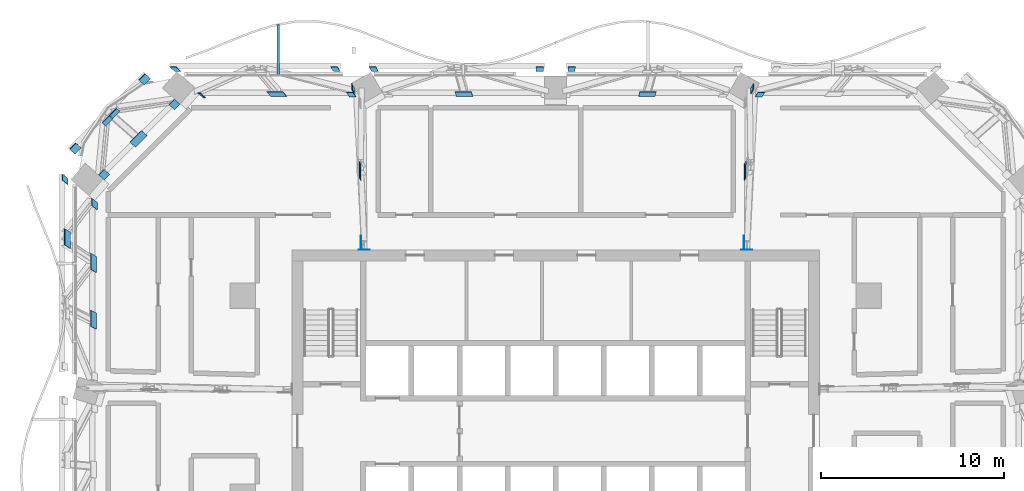
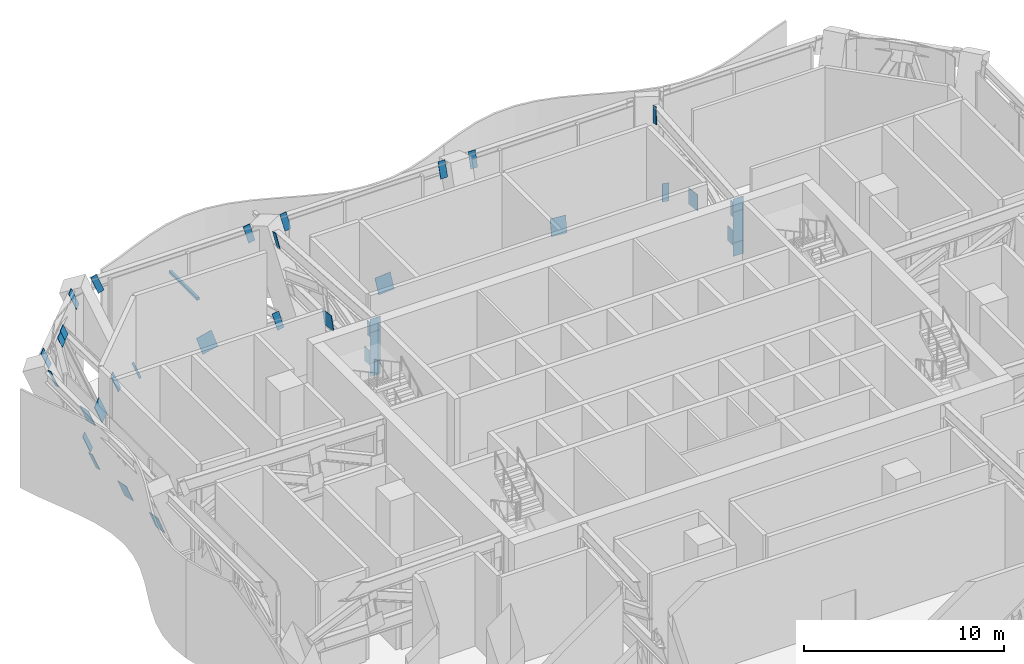
# One storey, part 15 of 26: 38 discrete accessories.
"""IFC4 building model written with IfcOpenShell, lengths in metres."""

from ifc_helpers import new_model, si_unit, direction, frame, origin, origin_2d, place, context, subcontext, project, spatial, rectangle, extrude, material, layer, layer_set, type_object, element, save


model = new_model("IFC4")

# Units and contexts
model_context = context("Model", 3, precision=1e-05, world=origin(), true_north=direction((0.0, 1.0)))
body_context = subcontext(model_context, "Body", "Model", "MODEL_VIEW")
ifc_project = project(units=[si_unit("LENGTHUNIT", "METRE"), si_unit("AREAUNIT", "SQUARE_METRE"), si_unit("VOLUMEUNIT", "CUBIC_METRE"), si_unit("PLANEANGLEUNIT", "RADIAN"), si_unit("MASSUNIT", "GRAM", prefix="KILO")], contexts=[model_context])

# Site, building, storey
site_placement = place(None, origin())
site = spatial("IfcSite", under=ifc_project, at=site_placement, CompositionType="ELEMENT")
building_placement = place(site_placement, origin())
building = spatial("IfcBuilding", under=site, at=building_placement, Name="Mopane Tessera Tower", CompositionType="ELEMENT")
storey_placement = place(building_placement, frame((0.0, 0.0, 205.0)))
storey = spatial("IfcBuildingStorey", under=building, at=storey_placement, Name="L43", CompositionType="ELEMENT", Elevation=205.0)

# Discrete accessories
ifc_material_1 = material(Name="Structural steel S460", Category="steel")
ifc_layer_1 = layer(ifc_material_1, 0.014892578125)
ifc_layer_set_1 = layer_set([ifc_layer_1], Name="Structural steel S460")
discrete_accessory_type_1 = type_object("IfcDiscreteAccessoryType", Name="Cast-in anchor plate 15 mm", PredefinedType="ANCHORPLATE", material=ifc_layer_set_1)
discrete_accessory_1_placement = place(storey_placement, frame((10.4501953125, 13.507568359375, 2.10009765625), z_axis=(0.0, 0.0, 1.0), x_axis=(0.0, 1.0, 0.0)))
element("IfcDiscreteAccessory", 1, at=discrete_accessory_1_placement, inside=storey, type_object=discrete_accessory_type_1, Name="Cast-in anchor plate s ot L43 N1 b", PredefinedType="ANCHORPLATE", context=body_context, shape_type="SweptSolid", body=[
    extrude(rectangle(XDim=0.014892578125, YDim=0.60302734375, at=origin_2d()), origin(), (0.0, 0.0, 1.0), 0.81396484375),
])
discrete_accessory_2_placement = place(storey_placement, frame((10.450927734375, 13.507568359375, 4.785888671875), z_axis=(0.0, 0.0, 1.0), x_axis=(0.0, 1.0, 0.0)))
element("IfcDiscreteAccessory", 2, at=discrete_accessory_2_placement, inside=storey, type_object=discrete_accessory_type_1, Name="Cast-in anchor plate s ot L43 N1 t", PredefinedType="ANCHORPLATE", context=body_context, shape_type="SweptSolid", body=[
    extrude(rectangle(XDim=0.014892578125, YDim=0.60302734375, at=origin_2d()), origin(), (0.0, 0.0, 1.0), 0.814208984375),
])
discrete_accessory_3_placement = place(storey_placement, frame((10.45068359375, 13.507568359375, 2.9140625), z_axis=(0.0, 0.0, 1.0), x_axis=(0.0, 1.0, 0.0)))
element("IfcDiscreteAccessory", 3, at=discrete_accessory_3_placement, inside=storey, type_object=discrete_accessory_type_1, Name="Cast-in anchor plate s ot L43 N1 p", PredefinedType="ANCHORPLATE", context=body_context, shape_type="SweptSolid", body=[
    extrude(rectangle(XDim=0.014892578125, YDim=0.60302734375, at=origin_2d()), origin(), (0.0, 0.0, 1.0), 1.871826171875),
])
discrete_accessory_4_placement = place(storey_placement, frame((-10.4501953125, 13.507568359375, 2.10009765625), z_axis=(0.0, 0.0, 1.0), x_axis=(0.0, 1.0, 0.0)))
element("IfcDiscreteAccessory", 4, at=discrete_accessory_4_placement, inside=storey, type_object=discrete_accessory_type_1, Name="Cast-in anchor plate s ot L43 N3 b", PredefinedType="ANCHORPLATE", context=body_context, shape_type="SweptSolid", body=[
    extrude(rectangle(XDim=0.014892578125, YDim=0.60302734375, at=origin_2d()), origin(), (0.0, 0.0, 1.0), 0.81396484375),
])
discrete_accessory_5_placement = place(storey_placement, frame((-10.450927734375, 13.507568359375, 4.785888671875), z_axis=(0.0, 0.0, 1.0), x_axis=(0.0, 1.0, 0.0)))
element("IfcDiscreteAccessory", 5, at=discrete_accessory_5_placement, inside=storey, type_object=discrete_accessory_type_1, Name="Cast-in anchor plate s ot L43 N3 t", PredefinedType="ANCHORPLATE", context=body_context, shape_type="SweptSolid", body=[
    extrude(rectangle(XDim=0.014892578125, YDim=0.60302734375, at=origin_2d()), origin(), (0.0, 0.0, 1.0), 0.814208984375),
])
discrete_accessory_6_placement = place(storey_placement, frame((-10.45068359375, 13.507568359375, 2.9140625), z_axis=(0.0, 0.0, 1.0), x_axis=(0.0, 1.0, 0.0)))
element("IfcDiscreteAccessory", 6, at=discrete_accessory_6_placement, inside=storey, type_object=discrete_accessory_type_1, Name="Cast-in anchor plate s ot L43 N3 p", PredefinedType="ANCHORPLATE", context=body_context, shape_type="SweptSolid", body=[
    extrude(rectangle(XDim=0.014892578125, YDim=0.60302734375, at=origin_2d()), origin(), (0.0, 0.0, 1.0), 1.871826171875),
])
ifc_material_2 = material(Name="Stainless steel S316", Category="steel")
discrete_accessory_type_2 = type_object("IfcDiscreteAccessoryType", Name="Louvre bracket 150 x 150", PredefinedType="BRACKET", material=ifc_material_2)
discrete_accessory_7_placement = place(storey_placement, frame((-15.14990234375, 24.438720703125, 2.51513671875), z_axis=(0.0, 0.0, 1.0), x_axis=(0.0, 1.0, 0.0)))
element("IfcDiscreteAccessory", 7, at=discrete_accessory_7_placement, inside=storey, type_object=discrete_accessory_type_2, Name="e:lv:L43:N:1:br1", PredefinedType="BRACKET", context=body_context, shape_type="SweptSolid", body=[
    extrude(rectangle(XDim=2.757568359375, YDim=0.14990234375, at=origin_2d()), origin(), (0.0, 0.0, 1.0), 0.14990234375),
])
ifc_material_3 = material(Name="Structural steel S460", Category="steel")
ifc_layer_2 = layer(ifc_material_3, 0.030029296875)
ifc_layer_set_2 = layer_set([ifc_layer_2], Name="Structural steel S460")
discrete_accessory_type_3 = type_object("IfcDiscreteAccessoryType", Name="Truss node plate 30 mm", PredefinedType="BRACKET", material=ifc_layer_set_2)
discrete_accessory_8_placement = place(storey_placement, frame((10.287109375, 13.8916015625, 2.59619140625), z_axis=(0.007053015735, 0.012207142619, 0.99990061538), x_axis=(-0.999901668762, 0.012206043071, 0.006904007447)))
element("IfcDiscreteAccessory", 8, at=discrete_accessory_8_placement, inside=storey, type_object=discrete_accessory_type_3, Name="Truss node plate s ot L43 N1 0", PredefinedType="BRACKET", context=body_context, shape_type="SweptSolid", body=[
    extrude(rectangle(XDim=0.030029296875, YDim=0.7373046875, at=origin_2d()), origin(), (0.0, 0.0, 1.0), 0.89990234375),
])
discrete_accessory_9_placement = place(storey_placement, frame((10.293212890625, 13.755615234375, 4.3359375), z_axis=(0.004339396382, 0.007865155942, 0.999959653667), x_axis=(-0.999961455934, -0.007598286956, 0.004399168326)))
element("IfcDiscreteAccessory", 9, at=discrete_accessory_9_placement, inside=storey, type_object=discrete_accessory_type_3, Name="Truss node plate s ot L43 N1 1", PredefinedType="BRACKET", context=body_context, shape_type="SweptSolid", body=[
    extrude(rectangle(XDim=0.030029296875, YDim=0.43994140625, at=origin_2d()), origin(), (0.0, 0.0, 1.0), 0.900146484375),
])
discrete_accessory_10_placement = place(storey_placement, frame((10.3115234375, 17.754150390625, 2.464111328125), z_axis=(0.076138403254, 0.132974112725, 0.988190684481), x_axis=(-0.997064059231, 0.018241034066, 0.074367509475)))
element("IfcDiscreteAccessory", 10, at=discrete_accessory_10_placement, inside=storey, type_object=discrete_accessory_type_3, Name="Truss node plate s ot L43 N1 3", PredefinedType="BRACKET", context=body_context, shape_type="SweptSolid", body=[
    extrude(rectangle(XDim=0.030029296875, YDim=0.89990234375, at=origin_2d()), origin(), (0.0, 0.0, 1.0), 0.91064453125),
])
discrete_accessory_11_placement = place(storey_placement, frame((10.670654296875, 22.185791015625, 4.742919921875), z_axis=(0.140467935878, 0.245818887786, 0.959083851078), x_axis=(-0.990059671646, 0.041834575141, 0.134282221096)))
element("IfcDiscreteAccessory", 11, at=discrete_accessory_11_placement, inside=storey, type_object=discrete_accessory_type_3, Name="Truss node plate s ot L43 N1 6", PredefinedType="BRACKET", context=body_context, shape_type="SweptSolid", body=[
    extrude(rectangle(XDim=0.030029296875, YDim=0.32080078125, at=origin_2d()), origin(), (0.0, 0.0, 1.0), 0.9384765625),
])
discrete_accessory_12_placement = place(storey_placement, frame((-10.6201171875, 13.88916015625, 2.59619140625), z_axis=(-0.007053015735, 0.012207142619, 0.99990061538), x_axis=(-0.999901668762, -0.012206043071, -0.006904007447)))
element("IfcDiscreteAccessory", 12, at=discrete_accessory_12_placement, inside=storey, type_object=discrete_accessory_type_3, Name="Truss node plate s ot L43 N3 0", PredefinedType="BRACKET", context=body_context, shape_type="SweptSolid", body=[
    extrude(rectangle(XDim=0.030029296875, YDim=0.7373046875, at=origin_2d()), origin(), (0.0, 0.0, 1.0), 0.89990234375),
])
discrete_accessory_13_placement = place(storey_placement, frame((-10.626220703125, 13.753173828125, 4.3359375), z_axis=(-0.004339405478, 0.007593959587, 0.999961749937), x_axis=(-0.999963588452, -0.007380689357, -0.004283362656)))
element("IfcDiscreteAccessory", 13, at=discrete_accessory_13_placement, inside=storey, type_object=discrete_accessory_type_3, Name="Truss node plate s ot L43 N3 1", PredefinedType="BRACKET", context=body_context, shape_type="SweptSolid", body=[
    extrude(rectangle(XDim=0.030029296875, YDim=0.43994140625, at=origin_2d()), origin(), (0.0, 0.0, 1.0), 0.900146484375),
])
discrete_accessory_14_placement = place(storey_placement, frame((-10.64453125, 17.751708984375, 2.464111328125), z_axis=(-0.076138403254, 0.132974112725, 0.988190684481), x_axis=(-0.997064059231, -0.018241034066, -0.074367509475)))
element("IfcDiscreteAccessory", 14, at=discrete_accessory_14_placement, inside=storey, type_object=discrete_accessory_type_3, Name="Truss node plate s ot L43 N3 3", PredefinedType="BRACKET", context=body_context, shape_type="SweptSolid", body=[
    extrude(rectangle(XDim=0.030029296875, YDim=0.89990234375, at=origin_2d()), origin(), (0.0, 0.0, 1.0), 0.91064453125),
])
discrete_accessory_15_placement = place(storey_placement, frame((-11.003662109375, 22.183349609375, 4.742919921875), z_axis=(-0.140467935878, 0.245818887786, 0.959083851078), x_axis=(-0.990059671646, -0.041834575141, -0.134282221096)))
element("IfcDiscreteAccessory", 15, at=discrete_accessory_15_placement, inside=storey, type_object=discrete_accessory_type_3, Name="Truss node plate s ot L43 N3 6", PredefinedType="BRACKET", context=body_context, shape_type="SweptSolid", body=[
    extrude(rectangle(XDim=0.030029296875, YDim=0.32080078125, at=origin_2d()), origin(), (0.0, 0.0, 1.0), 0.9384765625),
])
discrete_accessory_16_placement = place(storey_placement, frame((11.081298828125, 21.8544921875, 0.07568359375), z_axis=(0.172636185559, 0.276012683004, 0.945523001442), x_axis=(0.050053783134, -0.961153879733, 0.271436619247)))
element("IfcDiscreteAccessory", 16, at=discrete_accessory_16_placement, inside=storey, type_object=discrete_accessory_type_3, Name="Truss node plate s bt L43 N0-N1 5", PredefinedType="BRACKET", context=body_context, shape_type="SweptSolid", body=[
    extrude(rectangle(XDim=0.030029296875, YDim=0.37939453125, at=origin_2d()), origin(), (0.0, 0.0, 1.0), 0.95166015625),
])
discrete_accessory_17_placement = place(storey_placement, frame((4.975341796875, 21.882080078125, 0.169921875), z_axis=(0.078393186166, 0.279048593142, 0.957071779455), x_axis=(0.022567448017, -0.960276960341, 0.278134625187)))
element("IfcDiscreteAccessory", 17, at=discrete_accessory_17_placement, inside=storey, type_object=discrete_accessory_type_3, Name="Truss node plate s bt L43 N1-N2 4", PredefinedType="BRACKET", context=body_context, shape_type="SweptSolid", body=[
    extrude(rectangle(XDim=0.030029296875, YDim=0.89990234375, at=origin_2d()), origin(), (0.0, 0.0, 1.0), 0.9404296875),
])
for number, where, z_axis, x_axis, name in (
    (18, (0.864013671875, 23.244140625, 4.840087890625), (0.012760839854, 0.279957200883, 0.9599276674), (0.003394473348, -0.960012430761, 0.279936797036), "Truss node plate s bt L43 N1-N2 7"),
    (19, (-0.864013671875, 23.244140625, 4.840087890625), (-0.012760839854, 0.279957200883, 0.9599276674), (-0.003394473348, -0.960012430761, 0.279936797036), "Truss node plate s bt L43 N2-N3 1"),
):
    element("IfcDiscreteAccessory", number, at=place(storey_placement, frame(where, z_axis=z_axis, x_axis=x_axis)), inside=storey, type_object=discrete_accessory_type_3, Name=name, PredefinedType="BRACKET", context=body_context, shape_type="SweptSolid", body=[
        extrude(rectangle(XDim=0.030029296875, YDim=0.3994140625, at=origin_2d()), origin(), (0.0, 0.0, 1.0), 0.9375),
    ])
discrete_accessory_18_placement = place(storey_placement, frame((-4.975341796875, 21.882080078125, 0.169921875), z_axis=(-0.078393186166, 0.279048593142, 0.957071779455), x_axis=(-0.022567448017, -0.960276960341, 0.278134625187)))
element("IfcDiscreteAccessory", 20, at=discrete_accessory_18_placement, inside=storey, type_object=discrete_accessory_type_3, Name="Truss node plate s bt L43 N2-N3 3", PredefinedType="BRACKET", context=body_context, shape_type="SweptSolid", body=[
    extrude(rectangle(XDim=0.030029296875, YDim=0.89990234375, at=origin_2d()), origin(), (0.0, 0.0, 1.0), 0.9404296875),
])
discrete_accessory_19_placement = place(storey_placement, frame((-9.865966796875, 23.244140625, 4.840087890625), z_axis=(-0.14306097607, 0.277100088784, 0.950131095124), x_axis=(-0.04176472503, -0.960840932825, 0.273935046228)))
element("IfcDiscreteAccessory", 21, at=discrete_accessory_19_placement, inside=storey, type_object=discrete_accessory_type_3, Name="Truss node plate s bt L43 N2-N3 6", PredefinedType="BRACKET", context=body_context, shape_type="SweptSolid", body=[
    extrude(rectangle(XDim=0.030029296875, YDim=0.37255859375, at=origin_2d()), origin(), (0.0, 0.0, 1.0), 0.947021484375),
])
discrete_accessory_20_placement = place(storey_placement, frame((-11.081298828125, 21.8544921875, 0.07568359375), z_axis=(-0.172636185559, 0.276012683004, 0.945523001442), x_axis=(-0.050053783134, -0.961153879733, 0.271436619247)))
element("IfcDiscreteAccessory", 22, at=discrete_accessory_20_placement, inside=storey, type_object=discrete_accessory_type_3, Name="Truss node plate s bt L43 N3-N4 0", PredefinedType="BRACKET", context=body_context, shape_type="SweptSolid", body=[
    extrude(rectangle(XDim=0.030029296875, YDim=0.37939453125, at=origin_2d()), origin(), (0.0, 0.0, 1.0), 0.95166015625),
])
discrete_accessory_21_placement = place(storey_placement, frame((-11.94775390625, 23.244140625, 4.840087890625), z_axis=(-0.172648404171, 0.27577568274, 0.945589922401), x_axis=(-0.049475849014, -0.961222018936, 0.271301254468)))
element("IfcDiscreteAccessory", 23, at=discrete_accessory_21_placement, inside=storey, type_object=discrete_accessory_type_3, Name="Truss node plate s bt L43 N3-N4 1", PredefinedType="BRACKET", context=body_context, shape_type="SweptSolid", body=[
    extrude(rectangle(XDim=0.030029296875, YDim=0.37255859375, at=origin_2d()), origin(), (0.0, 0.0, 1.0), 0.95166015625),
])
discrete_accessory_22_placement = place(storey_placement, frame((-15.121337890625, 21.882080078125, 0.169921875), z_axis=(-0.232241351768, 0.272256764613, 0.933777387096), x_axis=(-0.065795997042, -0.962224634434, 0.264186751486)))
element("IfcDiscreteAccessory", 24, at=discrete_accessory_22_placement, inside=storey, type_object=discrete_accessory_type_3, Name="Truss node plate s bt L43 N3-N4 3", PredefinedType="BRACKET", context=body_context, shape_type="SweptSolid", body=[
    extrude(rectangle(XDim=0.030029296875, YDim=0.89990234375, at=origin_2d()), origin(), (0.0, 0.0, 1.0), 0.9638671875),
])
discrete_accessory_23_placement = place(storey_placement, frame((-19.19775390625, 21.8134765625, -0.0654296875), z_axis=(-0.291261551796, 0.267841033517, 0.918383301901), x_axis=(-0.080924919225, -0.963463117442, 0.255323282875)))
element("IfcDiscreteAccessory", 25, at=discrete_accessory_23_placement, inside=storey, type_object=discrete_accessory_type_3, Name="Truss node plate s bt L43 N3-N4 5", PredefinedType="BRACKET", context=body_context, shape_type="SweptSolid", body=[
    extrude(rectangle(XDim=0.030029296875, YDim=0.122314453125, at=origin_2d()), origin(), (0.0, 0.0, 1.0), 0.97998046875),
])
discrete_accessory_24_placement = place(storey_placement, frame((-20.630615234375, 23.244140625, 4.840087890625), z_axis=(-0.289892551992, 0.267957431979, 0.918782413277), x_axis=(-0.080179549136, -0.963430646182, 0.255680718666)))
element("IfcDiscreteAccessory", 26, at=discrete_accessory_24_placement, inside=storey, type_object=discrete_accessory_type_3, Name="Truss node plate s bt L43 N3-N4 6", PredefinedType="BRACKET", context=body_context, shape_type="SweptSolid", body=[
    extrude(rectangle(XDim=0.030029296875, YDim=0.350830078125, at=origin_2d()), origin(), (0.0, 0.0, 1.0), 0.9794921875),
])
discrete_accessory_25_placement = place(storey_placement, frame((-20.681884765625, 21.314208984375, 0.052490234375), z_axis=(-0.304783284444, 0.266592376548, 0.914349853333), x_axis=(0.638523091809, -0.655126704489, 0.403853020656)))
element("IfcDiscreteAccessory", 27, at=discrete_accessory_25_placement, inside=storey, type_object=discrete_accessory_type_3, Name="Truss node plate s bt L43 N4-W0 0", PredefinedType="BRACKET", context=body_context, shape_type="SweptSolid", body=[
    extrude(rectangle(XDim=0.030029296875, YDim=0.416259765625, at=origin_2d()), origin(), (0.0, 0.0, 1.0), 0.984375),
])
discrete_accessory_26_placement = place(storey_placement, frame((-22.3037109375, 22.684326171875, 4.840087890625), z_axis=(-0.304832237653, 0.266883228409, 0.914248680219), x_axis=(0.638145226429, -0.655354393467, 0.404080795076)))
element("IfcDiscreteAccessory", 28, at=discrete_accessory_26_placement, inside=storey, type_object=discrete_accessory_type_3, Name="Truss node plate s bt L43 N4-W0 1", PredefinedType="BRACKET", context=body_context, shape_type="SweptSolid", body=[
    extrude(rectangle(XDim=0.030029296875, YDim=0.489990234375, at=origin_2d()), origin(), (0.0, 0.0, 1.0), 0.984375),
])
discrete_accessory_27_placement = place(storey_placement, frame((-24.00341796875, 20.875244140625, 4.6650390625), z_axis=(-0.304643134255, 0.266814264215, 0.914331837553), x_axis=(0.638089991619, -0.655523553655, 0.40389359143)))
element("IfcDiscreteAccessory", 29, at=discrete_accessory_27_placement, inside=storey, type_object=discrete_accessory_type_3, Name="Truss node plate s bt L43 N4-W0 2", PredefinedType="BRACKET", context=body_context, shape_type="SweptSolid", body=[
    extrude(rectangle(XDim=0.030029296875, YDim=0.5546875, at=origin_2d()), origin(), (0.0, 0.0, 1.0), 0.606689453125),
])
discrete_accessory_28_placement = place(storey_placement, frame((-22.63818359375, 19.43115234375, 0.169921875), z_axis=(-0.304783284444, 0.266592376548, 0.914349853333), x_axis=(0.638523091809, -0.655126704489, 0.403853020656)))
element("IfcDiscreteAccessory", 30, at=discrete_accessory_28_placement, inside=storey, type_object=discrete_accessory_type_3, Name="Truss node plate s bt L43 N4-W0 3", PredefinedType="BRACKET", context=body_context, shape_type="SweptSolid", body=[
    extrude(rectangle(XDim=0.030029296875, YDim=0.89990234375, at=origin_2d()), origin(), (0.0, 0.0, 1.0), 0.984375),
])
discrete_accessory_29_placement = place(storey_placement, frame((-24.39013671875, 20.465087890625, 4.627685546875), z_axis=(-0.304755267631, 0.2669124735, 0.914265802894), x_axis=(0.638040447328, -0.655480161495, 0.404042257023)))
element("IfcDiscreteAccessory", 31, at=discrete_accessory_29_placement, inside=storey, type_object=discrete_accessory_type_3, Name="Truss node plate s bt L43 N4-W0 4", PredefinedType="BRACKET", context=body_context, shape_type="SweptSolid", body=[
    extrude(rectangle(XDim=0.030029296875, YDim=0.5546875, at=origin_2d()), origin(), (0.0, 0.0, 1.0), 0.6064453125),
])
discrete_accessory_30_placement = place(storey_placement, frame((-24.516357421875, 17.479736328125, 0.052490234375), z_axis=(-0.304558302803, 0.266612520776, 0.914418943351), x_axis=(0.638310608004, -0.65542962011, 0.403697387645)))
element("IfcDiscreteAccessory", 32, at=discrete_accessory_30_placement, inside=storey, type_object=discrete_accessory_type_3, Name="Truss node plate s bt L43 N4-W0 5", PredefinedType="BRACKET", context=body_context, shape_type="SweptSolid", body=[
    extrude(rectangle(XDim=0.030029296875, YDim=0.416259765625, at=origin_2d()), origin(), (0.0, 0.0, 1.0), 0.984375),
])
discrete_accessory_31_placement = place(storey_placement, frame((-26.0859375, 18.902099609375, 4.840087890625), z_axis=(-0.304852408885, 0.266652839342, 0.914309177504), x_axis=(0.638492556559, -0.655099995462, 0.403944613981)))
element("IfcDiscreteAccessory", 33, at=discrete_accessory_31_placement, inside=storey, type_object=discrete_accessory_type_3, Name="Truss node plate s bt L43 N4-W0 6", PredefinedType="BRACKET", context=body_context, shape_type="SweptSolid", body=[
    extrude(rectangle(XDim=0.030029296875, YDim=0.489990234375, at=origin_2d()), origin(), (0.0, 0.0, 1.0), 0.984130859375),
])
discrete_accessory_32_placement = place(storey_placement, frame((-25.05224609375, 15.884033203125, 0.0595703125), z_axis=(-0.306265350978, 0.249946417438, 0.918546854113), x_axis=(0.951946117065, 0.080772490042, 0.295422401075)))
element("IfcDiscreteAccessory", 34, at=discrete_accessory_32_placement, inside=storey, type_object=discrete_accessory_type_3, Name="Truss node plate s bt L43 W0-W1 0", PredefinedType="BRACKET", context=body_context, shape_type="SweptSolid", body=[
    extrude(rectangle(XDim=0.030029296875, YDim=0.406494140625, at=origin_2d()), origin(), (0.0, 0.0, 1.0), 0.979736328125),
])
discrete_accessory_33_placement = place(storey_placement, frame((-26.645751953125, 17.218994140625, 4.840087890625), z_axis=(-0.306227167778, 0.250413591226, 0.918432335583), x_axis=(0.951958408727, 0.080889122832, 0.295350872458)))
element("IfcDiscreteAccessory", 35, at=discrete_accessory_33_placement, inside=storey, type_object=discrete_accessory_type_3, Name="Truss node plate s bt L43 W0-W1 1", PredefinedType="BRACKET", context=body_context, shape_type="SweptSolid", body=[
    extrude(rectangle(XDim=0.030029296875, YDim=0.34423828125, at=origin_2d()), origin(), (0.0, 0.0, 1.0), 0.979736328125),
])
discrete_accessory_34_placement = place(storey_placement, frame((-26.527587890625, 14.0107421875, 4.4853515625), z_axis=(-0.309367333837, 0.207167872862, 0.928102001511), x_axis=(0.950942611962, 0.067357426575, 0.301945567678)))
element("IfcDiscreteAccessory", 36, at=discrete_accessory_34_placement, inside=storey, type_object=discrete_accessory_type_3, Name="Truss node plate s bt L43 W0-W1 2", PredefinedType="BRACKET", context=body_context, shape_type="SweptSolid", body=[
    extrude(rectangle(XDim=0.030029296875, YDim=0.89990234375, at=origin_2d()), origin(), (0.0, 0.0, 1.0), 0.969970703125),
])
discrete_accessory_35_placement = place(storey_placement, frame((-25.1025390625, 12.687744140625, 0.21044921875), z_axis=(-0.3097338619, 0.201616834434, 0.929201585699), x_axis=(0.950823275766, 0.065490490139, 0.302731058803)))
element("IfcDiscreteAccessory", 37, at=discrete_accessory_35_placement, inside=storey, type_object=discrete_accessory_type_3, Name="Truss node plate s bt L43 W0-W1 3", PredefinedType="BRACKET", context=body_context, shape_type="SweptSolid", body=[
    extrude(rectangle(XDim=0.030029296875, YDim=0.89990234375, at=origin_2d()), origin(), (0.0, 0.0, 1.0), 0.96875),
])
discrete_accessory_36_placement = place(storey_placement, frame((-25.089111328125, 9.607666015625, 0.169921875), z_axis=(-0.312452225898, 0.154065133356, 0.937356677693), x_axis=(0.949933474271, 0.050642409836, 0.308320840661)))
element("IfcDiscreteAccessory", 38, at=discrete_accessory_36_placement, inside=storey, type_object=discrete_accessory_type_3, Name="Truss node plate s bt L43 W0-W1 5", PredefinedType="BRACKET", context=body_context, shape_type="SweptSolid", body=[
    extrude(rectangle(XDim=0.030029296875, YDim=0.89990234375, at=origin_2d()), origin(), (0.0, 0.0, 1.0), 0.960205078125),
])

save(model, "model.ifc")
